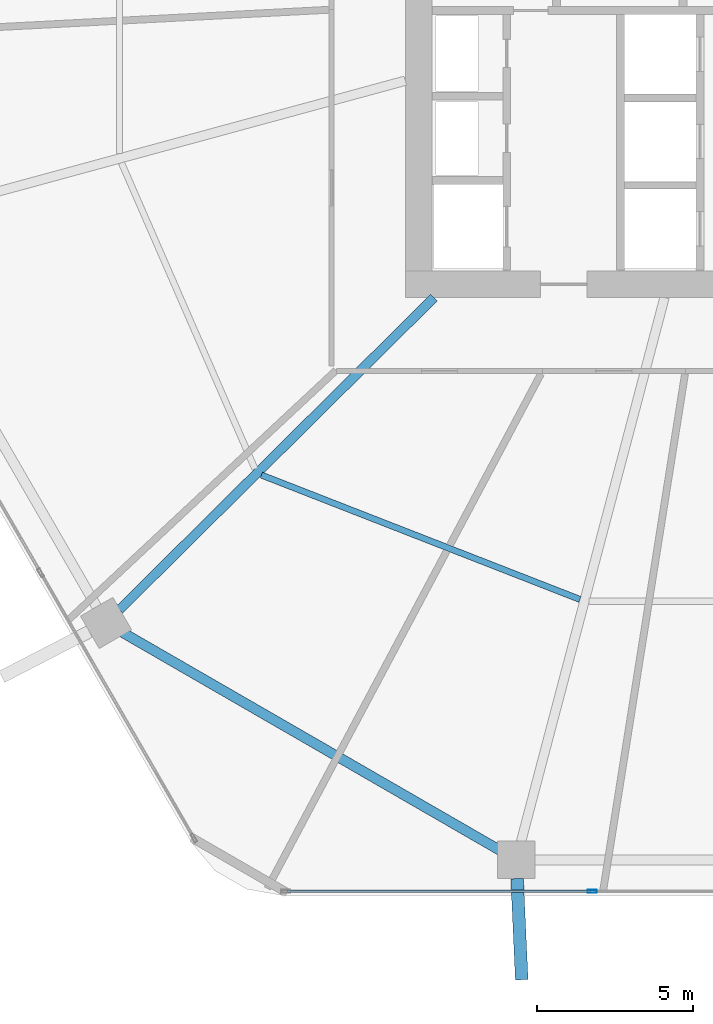
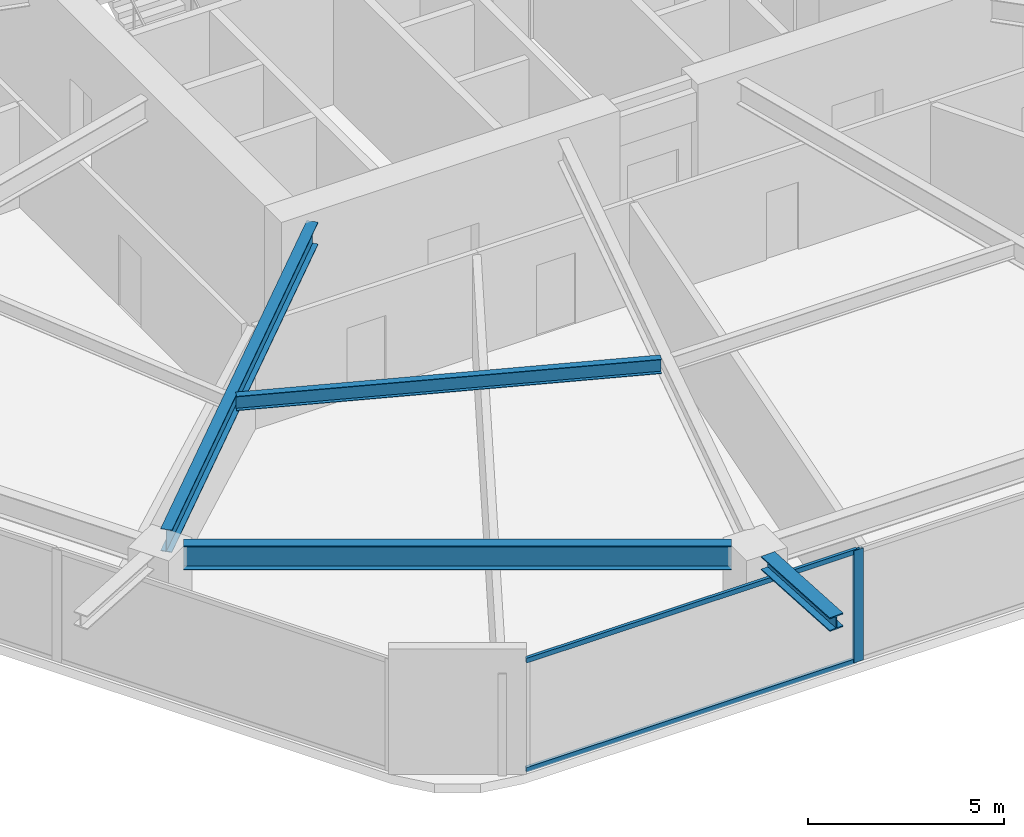
# One storey, part 3 of 26: 4 beams, 3 members, 1 element without a shape of its own.
"""IFC4 building model written with IfcOpenShell, lengths in metres."""

from ifc_helpers import new_model, si_unit, direction, frame, origin, origin_2d, place, context, subcontext, project, spatial, hollow_rectangle, i_section, extrude, material, material_profile, profile_set, type_object, element, aggregate, save


model = new_model("IFC4")

# Units and contexts
model_context = context("Model", 3, precision=1e-05, world=origin(), true_north=direction((0.0, 1.0)))
body_context = subcontext(model_context, "Body", "Model", "MODEL_VIEW")
ifc_project = project(units=[si_unit("LENGTHUNIT", "METRE"), si_unit("AREAUNIT", "SQUARE_METRE"), si_unit("VOLUMEUNIT", "CUBIC_METRE"), si_unit("PLANEANGLEUNIT", "RADIAN"), si_unit("MASSUNIT", "GRAM", prefix="KILO")], contexts=[model_context])

# Site, building, storey
site_placement = place(None, origin())
site = spatial("IfcSite", under=ifc_project, at=site_placement, CompositionType="ELEMENT")
building_placement = place(site_placement, origin())
building = spatial("IfcBuilding", under=site, at=building_placement, Name="Zuhravey Tower", CompositionType="ELEMENT")
storey_placement = place(building_placement, frame((0.0, 0.0, 28.800048828125)))
storey = spatial("IfcBuildingStorey", under=building, at=storey_placement, Name="L07", CompositionType="ELEMENT", Elevation=28.800048828125)

# Curtain wall, members
ifc_material_1 = material(Name="Thermally broken anodised aluminium", Category="aluminium")
curtain_wall_type = type_object("IfcCurtainWallType", Name="School Low-E Unitised Curtain Wall CW1", PredefinedType="NOTDEFINED", material=ifc_material_1)
curtain_wall_placement = place(storey_placement, origin())
curtain_wall = element("IfcCurtainWall", 1, at=curtain_wall_placement, inside=storey, type_object=curtain_wall_type, Name="L07 CW1 CW-L07-F5-1", PredefinedType="NOTDEFINED")
ifc_material_2 = material(Name="Anodised aluminium", Category="aluminium")
ifc_material_profile_1 = material_profile(ifc_material_2, hollow_rectangle(XDim=0.090087890625, YDim=0.284912109375, WallThickness=0.0048828125, at=origin_2d()), Name="ALU-RHS-90x285x5")
ifc_profile_set_1 = profile_set([ifc_material_profile_1], Name="Anodised aluminium")
member_type_1 = type_object("IfcMemberType", Name="Curtain-Wall Mullion 90x180", PredefinedType="MULLION", material=ifc_profile_set_1)
member_1_placement = place(storey_placement, frame((31.06689453125, 3.04150390625, 0.0), z_axis=(0.0, 0.0, 1.0), x_axis=(0.0, -1.0, 0.0)))
member_1 = element("IfcMember", 2, at=member_1_placement, type_object=member_type_1, Name="CW1 mullion 3", PredefinedType="MULLION", context=body_context, shape_type="SweptSolid", body=[
    extrude(hollow_rectangle(XDim=0.090087890625, YDim=0.284912109375, WallThickness=0.0048828125, at=origin_2d()), origin(), (0.0, 0.0, 1.0), 3.491943359375),
])
ifc_material_profile_2 = material_profile(ifc_material_2, hollow_rectangle(XDim=0.090087890625, YDim=0.14990234375, WallThickness=0.0048828125, at=origin_2d()), Name="ALU-RHS-90x150x5")
ifc_profile_set_2 = profile_set([ifc_material_profile_2], Name="Anodised aluminium")
member_type_2 = type_object("IfcMemberType", Name="Curtain-Wall Transom 90x150", PredefinedType="USERDEFINED", material=ifc_profile_set_2)
member_2_placement = place(storey_placement, frame((31.021728515625, 3.04150390625, 0.044921875), z_axis=(-1.0, 0.0, 0.0), x_axis=(0.0, -1.0, 0.0)))
member_2 = element("IfcMember", 3, at=member_2_placement, type_object=member_type_2, Name="CW1 transom 3.1", ObjectType="TRANSOM", PredefinedType="USERDEFINED", context=body_context, shape_type="SweptSolid", body=[
    extrude(hollow_rectangle(XDim=0.090087890625, YDim=0.14990234375, WallThickness=0.0048828125, at=origin_2d()), origin(), (0.0, 0.0, 1.0), 9.731201171875),
])
member_3_placement = place(storey_placement, frame((31.021728515625, 3.04150390625, 3.447021484375), z_axis=(-1.0, 0.0, 0.0), x_axis=(0.0, -1.0, 0.0)))
member_3 = element("IfcMember", 4, at=member_3_placement, type_object=member_type_2, Name="CW1 transom 3.2", ObjectType="TRANSOM", PredefinedType="USERDEFINED", context=body_context, shape_type="SweptSolid", body=[
    extrude(hollow_rectangle(XDim=0.090087890625, YDim=0.14990234375, WallThickness=0.0048828125, at=origin_2d()), origin(), (0.0, 0.0, 1.0), 9.731201171875),
])
aggregate(curtain_wall, [member_1, member_2, member_3])

# Beams
ifc_material_3 = material(Name="Steel SM460", Category="steel")
ifc_material_profile_3 = material_profile(ifc_material_3, i_section(OverallWidth=0.406982421875, OverallDepth=0.427978515625, WebThickness=0.02001953125, FlangeThickness=0.034912109375, at=origin_2d()), Name="H-428x407x20x35")
ifc_profile_set_3 = profile_set([ifc_material_profile_3], Name="Steel SM460")
beam_type_1 = type_object("IfcBeamType", Name="Exoskeleton Node Tie Beam H428x407", PredefinedType="BEAM", material=ifc_profile_set_3)
beam_1_placement = place(storey_placement, frame((28.657470703125, 3.447509765625, 3.7060546875), z_axis=(0.045602227077, -0.998959677307, 0.0), x_axis=(0.998959677307, 0.045602227077, 0.0)))
element("IfcBeam", 5, at=beam_1_placement, inside=storey, type_object=beam_type_1, Name="L07 Exoskeleton Node Tie NT1-09", PredefinedType="BEAM", context=body_context, shape_type="SweptSolid", body=[
    extrude(i_section(OverallWidth=0.406982421875, OverallDepth=0.427978515625, WebThickness=0.02001953125, FlangeThickness=0.034912109375, at=origin_2d()), origin(), (0.0, 0.0, 1.0), 3.244384765625),
])
ifc_material_4 = material(Name="Steel SM355", Category="steel")
ifc_material_profile_4 = material_profile(ifc_material_4, i_section(OverallWidth=0.320068359375, OverallDepth=0.75, WebThickness=0.013916015625, FlangeThickness=0.02490234375, at=origin_2d()), Name="H-750x320x14x25")
ifc_profile_set_4 = profile_set([ifc_material_profile_4], Name="Steel SM355")
beam_type_2 = type_object("IfcBeamType", Name="Perimeter Ring Beam H750x320", PredefinedType="BEAM", material=ifc_profile_set_4)
beam_2_placement = place(storey_placement, frame((16.003173828125, 11.341552734375, 3.544921875), z_axis=(0.866029969761, -0.499992091414, 0.0), x_axis=(0.499992091414, 0.866029969761, 0.0)))
element("IfcBeam", 6, at=beam_2_placement, inside=storey, type_object=beam_type_2, Name="L07 PB1 BM-L07-PB-08", PredefinedType="BEAM", context=body_context, shape_type="SweptSolid", body=[
    extrude(i_section(OverallWidth=0.320068359375, OverallDepth=0.75, WebThickness=0.013916015625, FlangeThickness=0.02490234375, at=origin_2d()), origin(), (0.0, 0.0, 1.0), 13.977294921875),
])
ifc_material_profile_5 = material_profile(ifc_material_4, i_section(OverallWidth=0.300048828125, OverallDepth=0.699951171875, WebThickness=0.012939453125, FlangeThickness=0.02392578125, at=origin_2d()), Name="H-700x300x13x24")
ifc_profile_set_5 = profile_set([ifc_material_profile_5], Name="Steel SM355")
beam_type_3 = type_object("IfcBeamType", Name="Radial Primary Girder H700x300", PredefinedType="BEAM", material=ifc_profile_set_5)
beam_3_placement = place(storey_placement, frame((25.992919921875, 22.072021484375, 3.570068359375), z_axis=(-0.709902823282, -0.704299639, 0.0), x_axis=(0.704299639, -0.709902823282, 0.0)))
element("IfcBeam", 7, at=beam_3_placement, inside=storey, type_object=beam_type_3, Name="L07 RG1 BM-L07-RAD-08", PredefinedType="BEAM", context=body_context, shape_type="SweptSolid", body=[
    extrude(i_section(OverallWidth=0.300048828125, OverallDepth=0.699951171875, WebThickness=0.012939453125, FlangeThickness=0.02392578125, at=origin_2d()), origin(), (0.0, 0.0, 1.0), 14.204345703125),
])
ifc_material_profile_6 = material_profile(ifc_material_4, i_section(OverallWidth=0.199951171875, OverallDepth=0.449951171875, WebThickness=0.009033203125, FlangeThickness=0.013916015625, at=origin_2d()), Name="H-450x200x9x14")
ifc_profile_set_6 = profile_set([ifc_material_profile_6], Name="Steel SM355")
beam_type_4 = type_object("IfcBeamType", Name="Secondary Floor Joist H450x200", PredefinedType="JOIST", material=ifc_profile_set_6)
beam_4_placement = place(storey_placement, frame((20.4599609375, 16.38427734375, 3.695068359375), z_axis=(0.931516535886, -0.363698973562, 0.0), x_axis=(0.363698973562, 0.931516535886, 0.0)))
element("IfcBeam", 8, at=beam_4_placement, inside=storey, type_object=beam_type_4, Name="L07 SJ1 BM-L07-SJ-08-1", PredefinedType="JOIST", context=body_context, shape_type="SweptSolid", body=[
    extrude(i_section(OverallWidth=0.199951171875, OverallDepth=0.449951171875, WebThickness=0.009033203125, FlangeThickness=0.013916015625, at=origin_2d()), origin(), (0.0, 0.0, 1.0), 10.963134765625),
])

save(model, "model.ifc")
